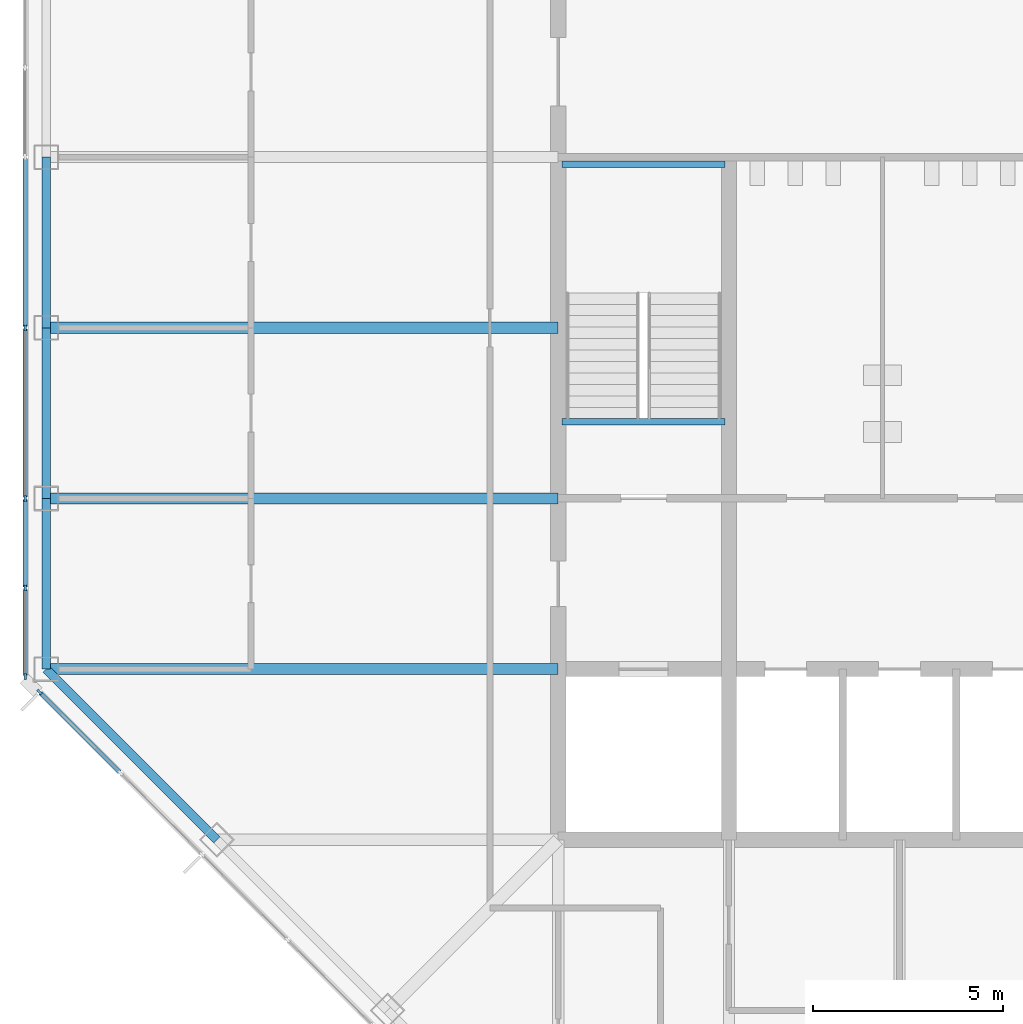
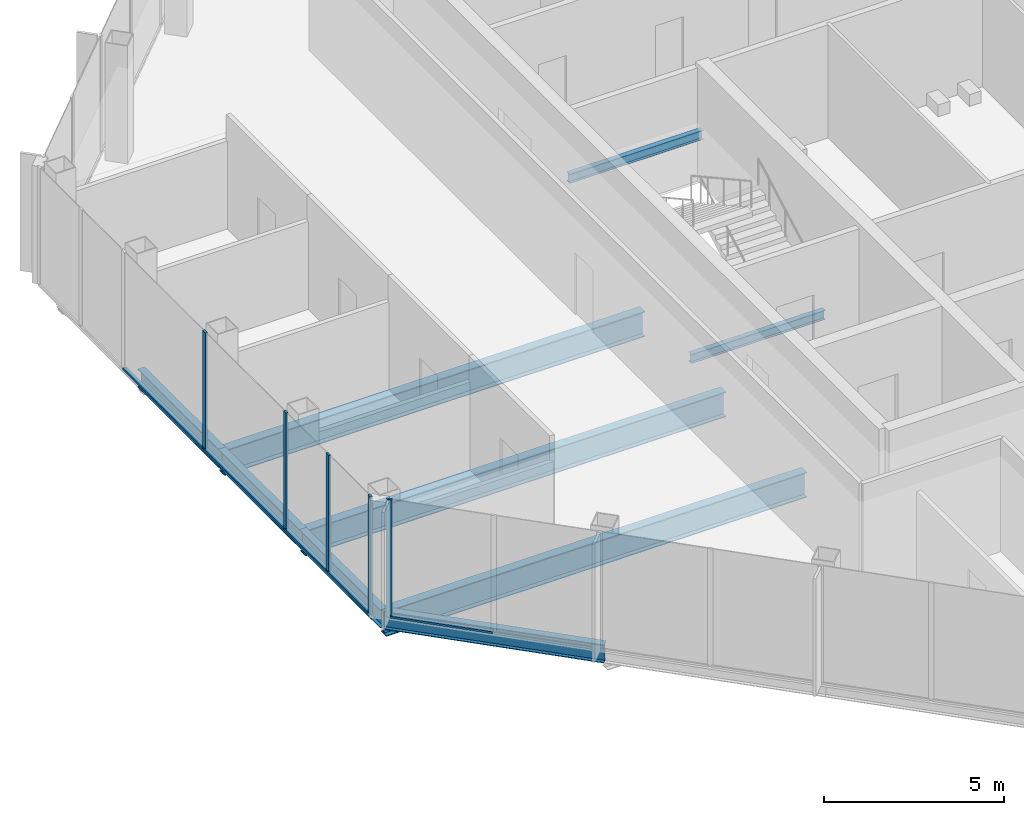
# One storey, part 3 of 14: 10 members, 9 beams, 2 elements without a shape of their own.
"""IFC4 building model written with IfcOpenShell, lengths in metres."""

from ifc_helpers import new_model, si_unit, direction, frame, origin, origin_2d, place, context, subcontext, project, spatial, rectangle, i_section, extrude, material, material_profile, profile_set, type_object, element, aggregate, save


model = new_model("IFC4")

# Units and contexts
model_context = context("Model", 3, precision=1e-05, world=origin(), true_north=direction((0.0, 1.0)))
body_context = subcontext(model_context, "Body", "Model", "MODEL_VIEW")
ifc_project = project(units=[si_unit("LENGTHUNIT", "METRE"), si_unit("AREAUNIT", "SQUARE_METRE"), si_unit("VOLUMEUNIT", "CUBIC_METRE"), si_unit("PLANEANGLEUNIT", "RADIAN"), si_unit("MASSUNIT", "GRAM", prefix="KILO")], contexts=[model_context])

# Site, building, storey
site_placement = place(None, origin())
site = spatial("IfcSite", under=ifc_project, at=site_placement, CompositionType="ELEMENT")
building_placement = place(site_placement, origin())
building = spatial("IfcBuilding", under=site, at=building_placement, Name="Corais Broadcast Tower", CompositionType="ELEMENT")
storey_placement = place(building_placement, frame((0.0, 0.0, 234.60009765625)))
storey = spatial("IfcBuildingStorey", under=building, at=storey_placement, Name="L54", CompositionType="ELEMENT", Elevation=234.60009765625)

# Beams
ifc_material_1 = material(Name="Steel ASTM A572 Grade 50", Category="steel")
ifc_material_profile_1 = material_profile(ifc_material_1, i_section(OverallWidth=0.2939453125, OverallDepth=0.85107421875, WebThickness=0.01611328125, FlangeThickness=0.02685546875, at=origin_2d()), Name="W840x226")
ifc_profile_set_1 = profile_set([ifc_material_profile_1], Name="Steel ASTM A572 Grade 50")
beam_type_1 = type_object("IfcBeamType", Name="Floor beam W840x226", PredefinedType="BEAM", material=ifc_profile_set_1)
for number, where, z_axis, x_axis, name in (
    (1, (0.0, 18.0, -0.585693359375), (1.0, 0.0, 0.0), (0.0, 1.0, 0.0), "B1 E/3 to E/6"),
    (2, (0.0, 22.5, -0.585693359375), (1.0, 0.0, 0.0), (0.0, 1.0, 0.0), "B1 F/3 to F/6"),
    (3, (0.0, 27.0, -0.585693359375), (1.0, 0.0, 0.0), (0.0, 1.0, 0.0), "B1 G/3 to G/6"),
):
    element("IfcBeam", number, at=place(storey_placement, frame(where, z_axis=z_axis, x_axis=x_axis)), inside=storey, type_object=beam_type_1, Name=name, PredefinedType="BEAM", context=body_context, shape_type="SweptSolid", body=[
        extrude(i_section(OverallWidth=0.2939453125, OverallDepth=0.85107421875, WebThickness=0.01611328125, FlangeThickness=0.02685546875, at=origin_2d()), origin(), (0.0, 0.0, 1.0), 13.5),
    ])
ifc_material_2 = material(Name="Steel ASTM A572 Grade 50", Category="steel")
ifc_material_profile_2 = material_profile(ifc_material_2, i_section(OverallWidth=0.1650390625, OverallDepth=0.31005859375, WebThickness=0.005859375, FlangeThickness=0.009765625, at=origin_2d()), Name="W310x38.7")
ifc_profile_set_2 = profile_set([ifc_material_profile_2], Name="Steel ASTM A572 Grade 50")
beam_type_2 = type_object("IfcBeamType", Name="Landing trimmer W310x38.7", PredefinedType="BEAM", material=ifc_profile_set_2)
for number, where, z_axis, x_axis, name in (
    (4, (13.60009765625, 24.52490234375, -0.35498046875), (1.0, 0.0, 0.0), (0.0, 1.0, 0.0), "LT1 stair A landing trimmer L54"),
    (5, (13.60009765625, 31.31005859375, 1.64501953125), (1.0, 0.0, 0.0), (0.0, 1.0, 0.0), "LT1 stair A half landing trimmer L54"),
):
    element("IfcBeam", number, at=place(storey_placement, frame(where, z_axis=z_axis, x_axis=x_axis)), inside=storey, type_object=beam_type_2, Name=name, PredefinedType="BEAM", context=body_context, shape_type="SweptSolid", body=[
        extrude(i_section(OverallWidth=0.1650390625, OverallDepth=0.31005859375, WebThickness=0.005859375, FlangeThickness=0.009765625, at=origin_2d()), origin(), (0.0, 0.0, 1.0), 4.2998046875),
    ])

# Curtain wall, member
ifc_material_3 = material(Name="Aluminium and glass", Category="aluminium")
curtain_wall_type = type_object("IfcCurtainWallType", Name="Unitised fritted curtain wall CW3", PredefinedType="NOTDEFINED", material=ifc_material_3)
curtain_wall_1_placement = place(storey_placement, origin())
curtain_wall_1 = element("IfcCurtainWall", 6, at=curtain_wall_1_placement, inside=storey, type_object=curtain_wall_type, Name="CW3 curtain wall L54 1", PredefinedType="NOTDEFINED")
ifc_material_4 = material(Name="Aluminium 6063-T6", Category="aluminium")
ifc_material_profile_3 = material_profile(ifc_material_4, rectangle(XDim=0.06494140625, YDim=0.159912109375, at=origin_2d()), Name="Mullion CW3 65x160")
ifc_profile_set_3 = profile_set([ifc_material_profile_3], Name="Aluminium 6063-T6")
member_type_1 = type_object("IfcMemberType", Name="Mullion CW3 65x160", PredefinedType="MULLION", material=ifc_profile_set_3)
member_1_placement = place(storey_placement, frame((-0.17333984375, 17.3955078125, 0.0), z_axis=(0.0, 0.0, 1.0), x_axis=(-0.707106781187, -0.707106781187, 0.0)))
member_1 = element("IfcMember", 7, at=member_1_placement, type_object=member_type_1, Name="CW3 mullion 9", PredefinedType="MULLION", context=body_context, shape_type="SweptSolid", body=[
    extrude(rectangle(XDim=0.06494140625, YDim=0.159912109375, at=origin_2d()), origin(), (0.0, 0.0, 1.0), 4.0),
])

# Curtain wall, members
curtain_wall_2_placement = place(storey_placement, origin())
curtain_wall_2 = element("IfcCurtainWall", 8, at=curtain_wall_2_placement, inside=storey, type_object=curtain_wall_type, Name="CW3 curtain wall L54 2", PredefinedType="NOTDEFINED")
member_2_placement = place(storey_placement, frame((-0.550048828125, 17.8046875, 0.0), z_axis=(0.0, 0.0, 1.0), x_axis=(-1.0, 0.0, 0.0)))
member_2 = element("IfcMember", 9, at=member_2_placement, type_object=member_type_1, Name="CW3 mullion 1", PredefinedType="MULLION", context=body_context, shape_type="SweptSolid", body=[
    extrude(rectangle(XDim=0.06494140625, YDim=0.159912109375, at=origin_2d()), origin(), (0.0, 0.0, 1.0), 4.0),
])
member_3_placement = place(storey_placement, frame((-0.550048828125, 20.135986328125, 0.0), z_axis=(0.0, 0.0, 1.0), x_axis=(-1.0, 0.0, 0.0)))
member_3 = element("IfcMember", 10, at=member_3_placement, type_object=member_type_1, Name="CW3 mullion 2", PredefinedType="MULLION", context=body_context, shape_type="SweptSolid", body=[
    extrude(rectangle(XDim=0.06494140625, YDim=0.159912109375, at=origin_2d()), origin(), (0.0, 0.0, 1.0), 4.0),
])
member_4_placement = place(storey_placement, frame((-0.550048828125, 22.5, 0.0), z_axis=(0.0, 0.0, 1.0), x_axis=(-1.0, 0.0, 0.0)))
member_4 = element("IfcMember", 11, at=member_4_placement, type_object=member_type_1, Name="CW3 mullion 3", PredefinedType="MULLION", context=body_context, shape_type="SweptSolid", body=[
    extrude(rectangle(XDim=0.06494140625, YDim=0.159912109375, at=origin_2d()), origin(), (0.0, 0.0, 1.0), 4.0),
])
member_5_placement = place(storey_placement, frame((-0.550048828125, 27.0, 0.0), z_axis=(0.0, 0.0, 1.0), x_axis=(-1.0, 0.0, 0.0)))
member_5 = element("IfcMember", 12, at=member_5_placement, type_object=member_type_1, Name="CW3 mullion 4", PredefinedType="MULLION", context=body_context, shape_type="SweptSolid", body=[
    extrude(rectangle(XDim=0.06494140625, YDim=0.159912109375, at=origin_2d()), origin(), (0.0, 0.0, 1.0), 4.0),
])

# Beams
ifc_material_5 = material(Name="Steel ASTM A572 Grade 50", Category="steel")
ifc_material_profile_4 = material_profile(ifc_material_5, i_section(OverallWidth=0.22998046875, OverallDepth=0.616943359375, WebThickness=0.01318359375, FlangeThickness=0.022216796875, at=origin_2d()), Name="W610x140")
ifc_profile_set_4 = profile_set([ifc_material_profile_4], Name="Steel ASTM A572 Grade 50")
beam_type_3 = type_object("IfcBeamType", Name="Spandrel W610x140", PredefinedType="BEAM", material=ifc_profile_set_4)
beam_placement = place(storey_placement, frame((0.0, 18.0, -0.468505859375), z_axis=(0.707106781187, -0.707106781187, 0.0), x_axis=(0.707106781187, 0.707106781187, 0.0)))
element("IfcBeam", 13, at=beam_placement, inside=storey, type_object=beam_type_3, Name="SB3 E/3 to D/4", PredefinedType="BEAM", context=body_context, shape_type="SweptSolid", body=[
    extrude(i_section(OverallWidth=0.22998046875, OverallDepth=0.616943359375, WebThickness=0.01318359375, FlangeThickness=0.022216796875, at=origin_2d()), origin(), (0.0, 0.0, 1.0), 6.364013671875),
])
for number, where, z_axis, x_axis, name in (
    (14, (0.0, 22.5, -0.468505859375), (0.0, -1.0, 0.0), (1.0, 0.0, 0.0), "SB3 F/3 to E/3"),
    (15, (0.0, 27.0, -0.468505859375), (0.0, -1.0, 0.0), (1.0, 0.0, 0.0), "SB3 G/3 to F/3"),
    (16, (0.0, 31.5, -0.468505859375), (0.0, -1.0, 0.0), (1.0, 0.0, 0.0), "SB3 H/3 to G/3"),
):
    element("IfcBeam", number, at=place(storey_placement, frame(where, z_axis=z_axis, x_axis=x_axis)), inside=storey, type_object=beam_type_3, Name=name, PredefinedType="BEAM", context=body_context, shape_type="SweptSolid", body=[
        extrude(i_section(OverallWidth=0.22998046875, OverallDepth=0.616943359375, WebThickness=0.01318359375, FlangeThickness=0.022216796875, at=origin_2d()), origin(), (0.0, 0.0, 1.0), 4.5),
    ])

# Member
ifc_material_6 = material(Name="Aluminium 6063-T6", Category="aluminium")
ifc_material_profile_5 = material_profile(ifc_material_6, rectangle(XDim=0.1201171875, YDim=0.06494140625, at=origin_2d()), Name="Transom CW3 65x120")
ifc_profile_set_5 = profile_set([ifc_material_profile_5], Name="Aluminium 6063-T6")
member_type_2 = type_object("IfcMemberType", Name="Transom CW3 65x120", PredefinedType="USERDEFINED", material=ifc_profile_set_5)
member_6_placement = place(storey_placement, frame((1.934326171875, 15.287841796875, 0.032470703125), z_axis=(-0.707106781187, 0.707106781187, 0.0), x_axis=(-0.707106781187, -0.707106781187, 0.0)))
member_6 = element("IfcMember", 17, at=member_6_placement, type_object=member_type_2, Name="CW3 transom 8.1", ObjectType="TRANSOM", PredefinedType="USERDEFINED", context=body_context, shape_type="SweptSolid", body=[
    extrude(rectangle(XDim=0.1201171875, YDim=0.06494140625, at=origin_2d()), origin(), (0.0, 0.0, 1.0), 2.9482421875),
])

aggregate(curtain_wall_1, [member_1, member_6])

member_7_placement = place(storey_placement, frame((-0.550048828125, 17.837158203125, 0.032470703125), z_axis=(0.0, 1.0, 0.0), x_axis=(-1.0, 0.0, 0.0)))
member_7 = element("IfcMember", 18, at=member_7_placement, type_object=member_type_2, Name="CW3 transom 1.1", ObjectType="TRANSOM", PredefinedType="USERDEFINED", context=body_context, shape_type="SweptSolid", body=[
    extrude(rectangle(XDim=0.1201171875, YDim=0.06494140625, at=origin_2d()), origin(), (0.0, 0.0, 1.0), 2.266357421875),
])

member_8_placement = place(storey_placement, frame((-0.550048828125, 20.168701171875, 0.032470703125), z_axis=(0.0, 1.0, 0.0), x_axis=(-1.0, 0.0, 0.0)))
member_8 = element("IfcMember", 19, at=member_8_placement, type_object=member_type_2, Name="CW3 transom 2.1", ObjectType="TRANSOM", PredefinedType="USERDEFINED", context=body_context, shape_type="SweptSolid", body=[
    extrude(rectangle(XDim=0.1201171875, YDim=0.06494140625, at=origin_2d()), origin(), (0.0, 0.0, 1.0), 2.298828125),
])

member_9_placement = place(storey_placement, frame((-0.550048828125, 22.532470703125, 0.032470703125), z_axis=(0.0, 1.0, 0.0), x_axis=(-1.0, 0.0, 0.0)))
member_9 = element("IfcMember", 20, at=member_9_placement, type_object=member_type_2, Name="CW3 transom 3.1", ObjectType="TRANSOM", PredefinedType="USERDEFINED", context=body_context, shape_type="SweptSolid", body=[
    extrude(rectangle(XDim=0.1201171875, YDim=0.06494140625, at=origin_2d()), origin(), (0.0, 0.0, 1.0), 4.43505859375),
])

member_10_placement = place(storey_placement, frame((-0.550048828125, 27.032470703125, 0.032470703125), z_axis=(0.0, 1.0, 0.0), x_axis=(-1.0, 0.0, 0.0)))
member_10 = element("IfcMember", 21, at=member_10_placement, type_object=member_type_2, Name="CW3 transom 4.1", ObjectType="TRANSOM", PredefinedType="USERDEFINED", context=body_context, shape_type="SweptSolid", body=[
    extrude(rectangle(XDim=0.1201171875, YDim=0.06494140625, at=origin_2d()), origin(), (0.0, 0.0, 1.0), 4.43505859375),
])

aggregate(curtain_wall_2, [member_2, member_3, member_4, member_5, member_7, member_8, member_9, member_10])

save(model, "model.ifc")
